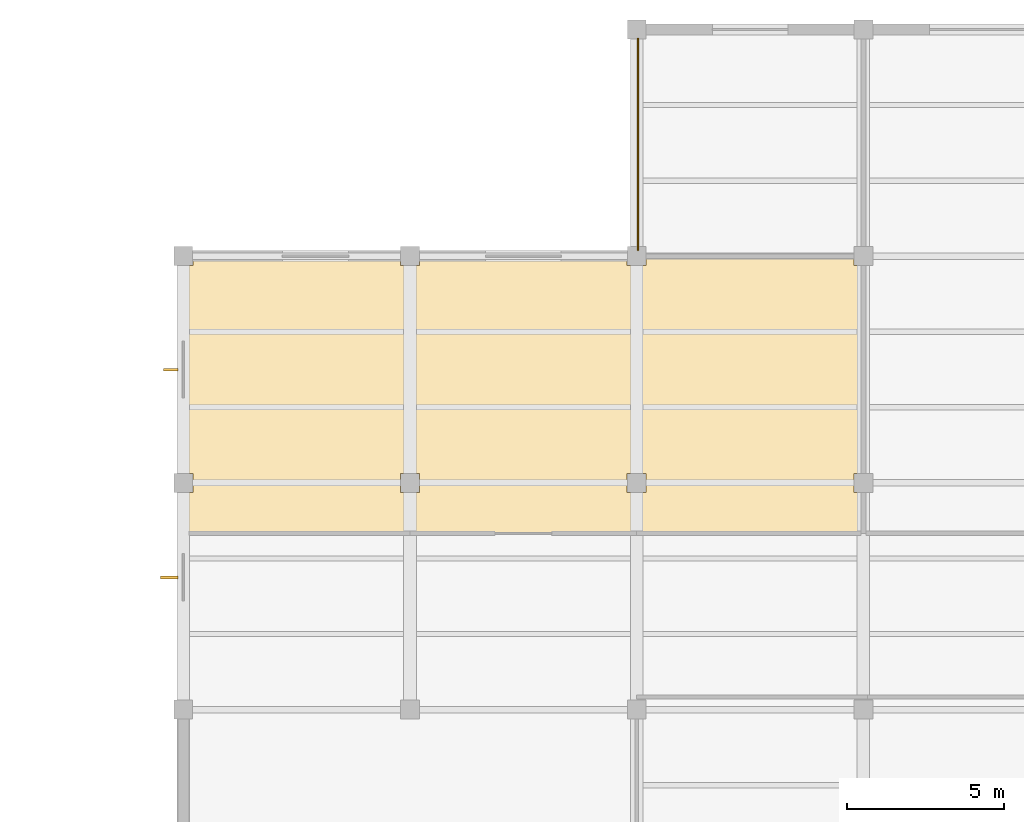
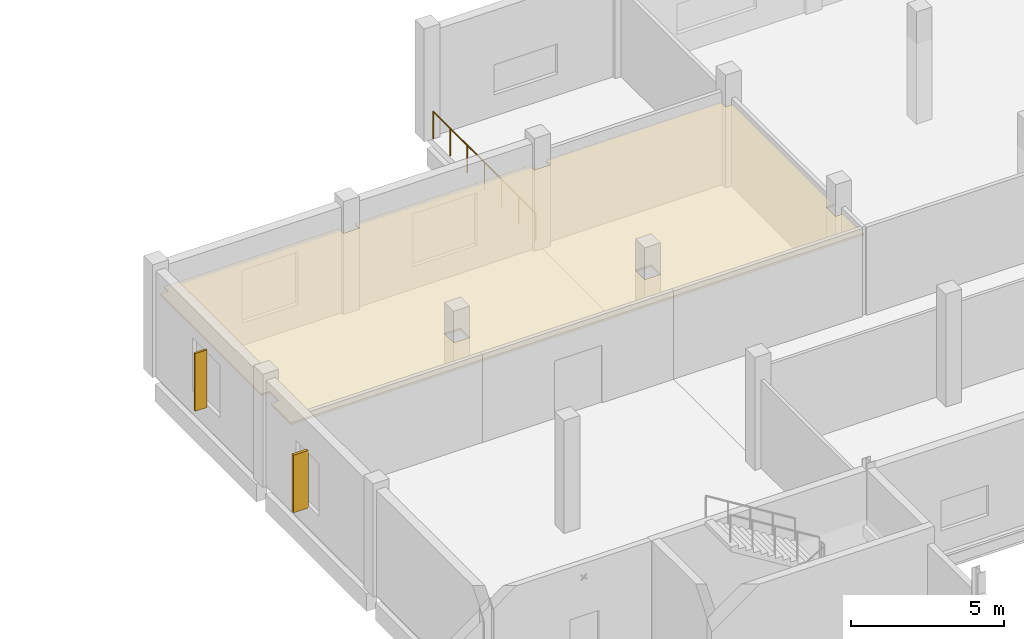
# One storey, part 74 of 76: 2 shading devices, 1 covering, 1 railing.
"""IFC4 building model written with IfcOpenShell, lengths in metres."""

from ifc_helpers import new_model, si_unit, direction, frame, origin, origin_2d, place, context, subcontext, project, spatial, polyline, rectangle, circle, outline, extrude, material, layer, layer_set, type_object, element, save


model = new_model("IFC4")

# Units and contexts
model_context = context("Model", 3, precision=1e-05, world=origin(), true_north=direction((0.0, 1.0)))
body_context = subcontext(model_context, "Body", "Model", "MODEL_VIEW")
ifc_project = project(units=[si_unit("LENGTHUNIT", "METRE"), si_unit("AREAUNIT", "SQUARE_METRE"), si_unit("VOLUMEUNIT", "CUBIC_METRE"), si_unit("PLANEANGLEUNIT", "RADIAN"), si_unit("MASSUNIT", "GRAM", prefix="KILO"), si_unit("THERMODYNAMICTEMPERATUREUNIT", "KELVIN"), si_unit("POWERUNIT", "WATT")], contexts=[model_context])

# Site, building, storey
site_placement = place(None, origin())
site = spatial("IfcSite", under=ifc_project, at=site_placement, CompositionType="ELEMENT")
building_placement = place(site_placement, origin())
building = spatial("IfcBuilding", under=site, at=building_placement, Name="Kaldorven Railside Theatre", CompositionType="ELEMENT")
storey_placement = place(building_placement, frame((0.0, 0.0, 14.39990234375)))
storey = spatial("IfcBuildingStorey", under=building, at=storey_placement, Name="L03", CompositionType="ELEMENT", Elevation=14.39990234375)

# Covering
ifc_material_1 = material(Name="Acoustic hardwood timber", Category="wood")
ifc_layer = layer(ifc_material_1, 0.080078125, Name="Acoustic hardwood timber")
ifc_layer_set = layer_set([ifc_layer], Name="Acoustic hardwood timber")
covering_type = type_object("IfcCoveringType", Name="COV-CLG-02", PredefinedType="CEILING", material=ifc_layer_set)
covering_placement = place(storey_placement, frame((0.0, 0.0, 3.170166015625)))
element("IfcCovering", 1, at=covering_placement, inside=storey, type_object=covering_type, Name="Recording Suite Acoustic Ceiling 020", PredefinedType="CEILING", context=body_context, shape_type="SweptSolid", body=[
    extrude(outline(polyline([(130.39990234375, 125.60009765625), (108.800048828125, 125.60009765625), (108.800048828125, 126.89794921875), (109.10205078125, 126.89794921875), (109.10205078125, 127.501953125), (108.800048828125, 127.501953125), (108.800048828125, 134.097900390625), (109.10205078125, 134.097900390625), (109.10205078125, 134.39990234375), (115.697998046875, 134.39990234375), (115.697998046875, 134.097900390625), (116.302001953125, 134.097900390625), (116.302001953125, 134.39990234375), (122.89794921875, 134.39990234375), (122.89794921875, 134.097900390625), (123.501953125, 134.097900390625), (123.501953125, 134.39990234375), (130.097900390625, 134.39990234375), (130.097900390625, 134.097900390625), (130.39990234375, 134.097900390625), (130.39990234375, 127.501953125), (130.097900390625, 127.501953125), (130.097900390625, 126.89794921875), (130.39990234375, 126.89794921875), (130.39990234375, 125.60009765625)]), holes=[polyline([(122.89794921875, 127.501953125), (122.89794921875, 126.89794921875), (123.501953125, 126.89794921875), (123.501953125, 127.501953125), (122.89794921875, 127.501953125)]), polyline([(115.697998046875, 127.501953125), (115.697998046875, 126.89794921875), (116.302001953125, 126.89794921875), (116.302001953125, 127.501953125), (115.697998046875, 127.501953125)])]), origin(), (0.0, 0.0, 1.0), 0.079833984375),
])

# Railing
ifc_material_2 = material(Name="Anodised bronze aluminium", Category="aluminium")
railing_type = type_object("IfcRailingType", Name="RLG-BAL-1100", PredefinedType="BALUSTRADE", material=ifc_material_2)
railing_placement = place(storey_placement, frame((123.239990234375, 134.60009765625, 0.0)))
element("IfcRailing", 2, at=railing_placement, inside=storey, type_object=railing_type, Name="L03 Safety Balustrade GR-123", PredefinedType="BALUSTRADE", context=body_context, shape_type="SweptSolid", body=[
    extrude(circle(Radius=0.02392578125, at=origin_2d()), frame((0.0, 0.0, 1.09619140625), z_axis=(0.0, 1.0, 0.0), x_axis=(-1.0, 0.0, 0.0)), (0.0, 0.0, 1.0), 6.703125),
    extrude(circle(Radius=0.02099609375, at=origin_2d()), origin(), (0.0, 0.0, 1.0), 1.072021484375),
    extrude(circle(Radius=0.02099609375, at=origin_2d()), frame((0.0, 1.1171875, 0.0)), (0.0, 0.0, 1.0), 1.072021484375),
    extrude(circle(Radius=0.02099609375, at=origin_2d()), frame((0.0, 2.234375, 0.0)), (0.0, 0.0, 1.0), 1.072021484375),
    extrude(circle(Radius=0.02099609375, at=origin_2d()), frame((0.0, 3.3515625, 0.0)), (0.0, 0.0, 1.0), 1.072021484375),
    extrude(circle(Radius=0.02099609375, at=origin_2d()), frame((0.0, 4.46875, 0.0)), (0.0, 0.0, 1.0), 1.072021484375),
    extrude(circle(Radius=0.02099609375, at=origin_2d()), frame((0.0, 5.5859375, 0.0)), (0.0, 0.0, 1.0), 1.072021484375),
    extrude(circle(Radius=0.02099609375, at=origin_2d()), frame((0.0, 6.703125, 0.0)), (0.0, 0.0, 1.0), 1.072021484375),
])

# Shading devices
shading_device_type_1 = type_object("IfcShadingDeviceType", Name="SHD-FIN-01", PredefinedType="USERDEFINED", material=ifc_material_2)
shading_device_1_placement = place(storey_placement, frame((108.404052734375, 130.800048828125, 0.80029296875), z_axis=(0.0, 0.0, 1.0), x_axis=(0.0, 1.0, 0.0)))
element("IfcShadingDevice", 3, at=shading_device_1_placement, inside=storey, type_object=shading_device_type_1, Name="Anodised-Bronze Brise-Soleil Fin FIN-035", ObjectType="SUNSHADE", PredefinedType="USERDEFINED", context=body_context, shape_type="SweptSolid", body=[
    extrude(rectangle(XDim=0.080078125, YDim=0.449951171875, at=origin_2d()), origin(), (0.0, 0.0, 1.0), 2.300048828125),
])
shading_device_type_2 = type_object("IfcShadingDeviceType", Name="SHD-FIN-02", PredefinedType="USERDEFINED", material=ifc_material_2)
shading_device_2_placement = place(storey_placement, frame((108.35400390625, 124.199951171875, 0.80029296875), z_axis=(0.0, 0.0, 1.0), x_axis=(0.0, 1.0, 0.0)))
element("IfcShadingDevice", 4, at=shading_device_2_placement, inside=storey, type_object=shading_device_type_2, Name="Anodised-Bronze Brise-Soleil Fin FIN-034", ObjectType="SUNSHADE", PredefinedType="USERDEFINED", context=body_context, shape_type="SweptSolid", body=[
    extrude(rectangle(XDim=0.10009765625, YDim=0.550048828125, at=origin_2d()), origin(), (0.0, 0.0, 1.0), 2.300048828125),
])

save(model, "model.ifc")
